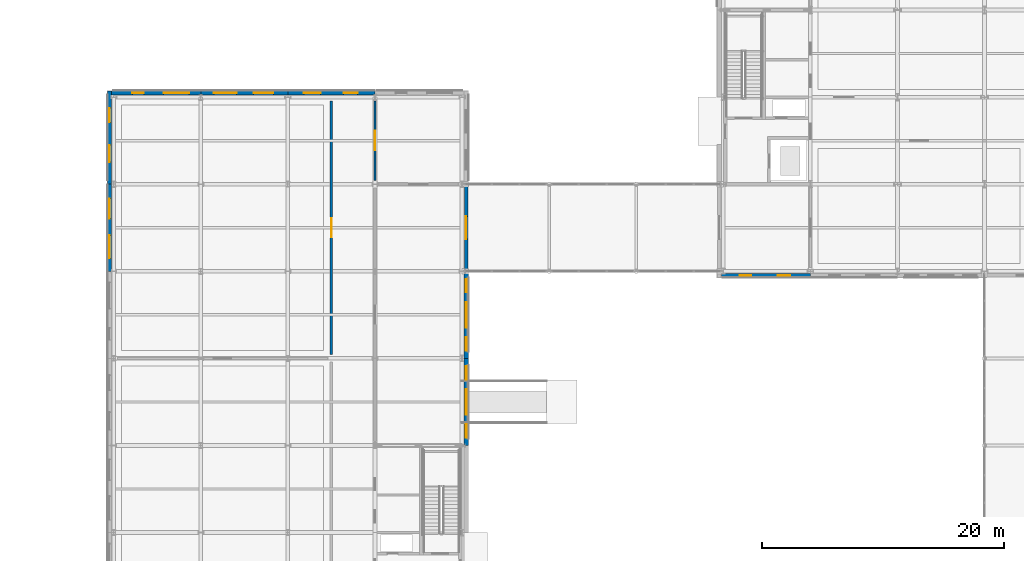
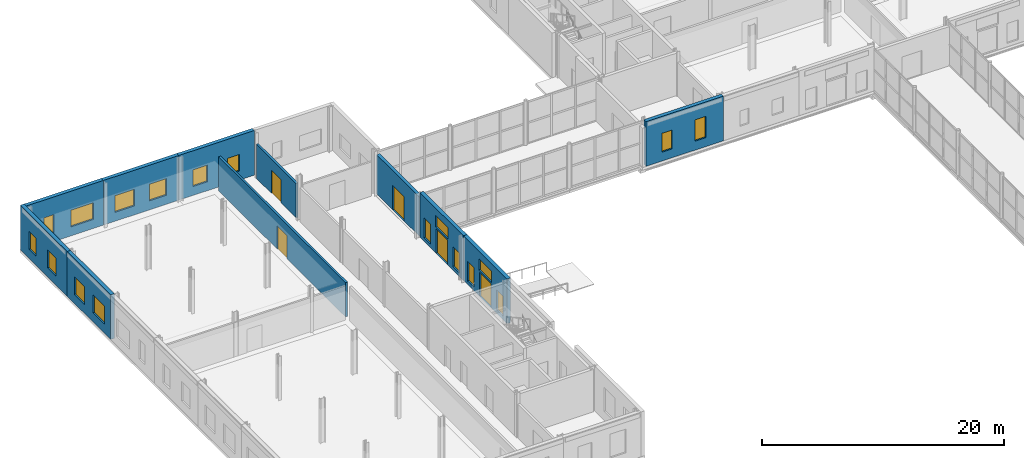
# One storey, part 61 of 92: 18 windows, 11 walls, 5 doors, 23 openings.
"""IFC4 building model written with IfcOpenShell, lengths in metres."""

from ifc_helpers import new_model, si_unit, direction, frame, frame_2d, origin, place, context, subcontext, project, spatial, rectangle, extrude, material, layer, layer_set, type_object, element, fill, save


model = new_model("IFC4")

# Units and contexts
model_context = context("Model", 3, precision=1e-05, world=origin(), true_north=direction((0.0, 1.0)))
body_context = subcontext(model_context, "Body", "Model", "MODEL_VIEW")
ifc_project = project(units=[si_unit("LENGTHUNIT", "METRE"), si_unit("AREAUNIT", "SQUARE_METRE"), si_unit("VOLUMEUNIT", "CUBIC_METRE"), si_unit("PLANEANGLEUNIT", "RADIAN"), si_unit("MASSUNIT", "GRAM", prefix="KILO")], contexts=[model_context])

# Site, building, storey
site_placement = place(None, origin())
site = spatial("IfcSite", under=ifc_project, at=site_placement, CompositionType="ELEMENT")
building_placement = place(site_placement, origin())
building = spatial("IfcBuilding", under=site, at=building_placement, Name="Zlatovets Crest Museum", CompositionType="ELEMENT")
storey_placement = place(building_placement, origin())
storey = spatial("IfcBuildingStorey", under=building, at=storey_placement, Name="L00", CompositionType="ELEMENT", Elevation=0.0)

# Wall, openings, windows
ifc_material_1 = material(Name="Vratsa limestone ashlar masonry and mineral wool", Category="masonry")
ifc_layer_1 = layer(ifc_material_1, 0.35009765625)
ifc_layer_set_1 = layer_set([ifc_layer_1], Name="Vratsa limestone ashlar masonry and mineral wool")
wall_type_1 = type_object("IfcWallType", Name="ExtWall_EW-01", PredefinedType="STANDARD", material=ifc_layer_set_1)
wall_1_placement = place(storey_placement, frame((57.43505859375, 86.06005859375, 0.0), z_axis=(0.0, 0.0, 1.0), x_axis=(1.0, 0.0, 0.0)))
wall_1 = element("IfcWall", 1, at=wall_1_placement, inside=storey, type_object=wall_type_1, Name="V1 L00 Vratsa Limestone Plinth Wall", PredefinedType="STANDARD", context=body_context, shape_type="SweptSolid", body=[
    extrude(rectangle(XDim=7.364990234375, YDim=0.35009765625, at=frame_2d((3.6826171875, 0.0))), origin(), (0.0, 0.0, 1.0), 4.5),
])
opening_1_placement = place(wall_1_placement, frame((1.541015625, 0.0, 0.89990234375)))
opening_1 = element("IfcOpeningElement", 2, at=opening_1_placement, cuts=wall_1, Name="Opening WN-11", PredefinedType="OPENING", context=body_context, shape_type="SweptSolid", body=[
    extrude(rectangle(XDim=0.949951171875, YDim=1.89990234375, at=frame_2d((0.47509765625, 0.949951171875))), frame((0.0, 0.18505859375, 0.0), z_axis=(0.0, -1.0, 0.0), x_axis=(1.0, 0.0, 0.0)), (0.0, 0.0, 1.0), 0.3701171875),
])
opening_2_placement = place(wall_1_placement, frame((4.658935546875, 0.0, 0.89990234375)))
opening_2 = element("IfcOpeningElement", 3, at=opening_2_placement, cuts=wall_1, Name="Opening WN-12", PredefinedType="OPENING", context=body_context, shape_type="SweptSolid", body=[
    extrude(rectangle(XDim=1.050048828125, YDim=2.14990234375, at=frame_2d((0.52490234375, 1.074951171875))), frame((0.0, 0.18505859375, 0.0), z_axis=(0.0, -1.0, 0.0), x_axis=(1.0, 0.0, 0.0)), (0.0, 0.0, 1.0), 0.3701171875),
])
ifc_material_2 = material(Name="Bronze-anodised aluminium frame with low-E triple glass", Category="aluminium")
window_type_1 = type_object("IfcWindowType", Name="Win_WN-11", PartitioningType="SINGLE_PANEL", PredefinedType="WINDOW", material=ifc_material_2)
window_1_placement = place(opening_1_placement, origin())
window_1 = element("IfcWindow", 4, at=window_1_placement, inside=storey, type_object=window_type_1, Name="V1 L00 Secession Plinth Window WN-11", OverallHeight=1.89990234375, OverallWidth=0.949951171875, PartitioningType="SINGLE_PANEL", PredefinedType="WINDOW", context=body_context, shape_type="SweptSolid", body=[
    extrude(rectangle(XDim=0.949951171875, YDim=1.89990234375, at=frame_2d((0.47509765625, 0.949951171875))), frame((0.0, 0.030029296875, 0.0), z_axis=(0.0, -1.0, 0.0), x_axis=(1.0, 0.0, 0.0)), (0.0, 0.0, 1.0), 0.06005859375),
])
fill(opening_1, window_1)
window_type_2 = type_object("IfcWindowType", Name="Win_WN-12", PartitioningType="SINGLE_PANEL", PredefinedType="WINDOW", material=ifc_material_2)
window_2_placement = place(opening_2_placement, origin())
window_2 = element("IfcWindow", 5, at=window_2_placement, inside=storey, type_object=window_type_2, Name="V1 L00 Secession Plinth Window WN-12", OverallHeight=2.14990234375, OverallWidth=1.050048828125, PartitioningType="SINGLE_PANEL", PredefinedType="WINDOW", context=body_context, shape_type="SweptSolid", body=[
    extrude(rectangle(XDim=1.050048828125, YDim=2.14990234375, at=frame_2d((0.52490234375, 1.074951171875))), frame((0.0, 0.030029296875, 0.0), z_axis=(0.0, -1.0, 0.0), x_axis=(1.0, 0.0, 0.0)), (0.0, 0.0, 1.0), 0.06005859375),
])
fill(opening_2, window_2)

# Wall, openings, door, windows
wall_2_placement = place(storey_placement, frame((36.340087890625, 72.0, 0.0), z_axis=(0.0, 0.0, 1.0), x_axis=(0.0, 1.0, 0.0)))
wall_2 = element("IfcWall", 6, at=wall_2_placement, inside=storey, type_object=wall_type_1, Name="V4 L00 Sculpted Art Nouveau Portal Wall", PredefinedType="STANDARD", context=body_context, shape_type="SweptSolid", body=[
    extrude(rectangle(XDim=7.199951171875, YDim=0.35009765625, at=frame_2d((3.60009765625, 0.0))), origin(), (0.0, 0.0, 1.0), 4.5),
])
opening_3_placement = place(wall_2_placement, frame((2.64990234375, 0.0, 0.0)))
opening_3 = element("IfcOpeningElement", 7, at=opening_3_placement, cuts=wall_2, Name="Opening ED-02", PredefinedType="OPENING", context=body_context, shape_type="SweptSolid", body=[
    extrude(rectangle(XDim=1.89990234375, YDim=2.449951171875, at=frame_2d((0.949951171875, 1.22509765625))), frame((0.0, 0.18505859375, 0.0), z_axis=(0.0, -1.0, 0.0), x_axis=(1.0, 0.0, 0.0)), (0.0, 0.0, 1.0), 0.3701171875),
])
opening_4_placement = place(wall_2_placement, frame((2.550048828125, 0.0, 2.60009765625)))
opening_4 = element("IfcOpeningElement", 8, at=opening_4_placement, cuts=wall_2, Name="Opening WN-13", PredefinedType="OPENING", context=body_context, shape_type="SweptSolid", body=[
    extrude(rectangle(XDim=2.10009765625, YDim=1.14990234375, at=frame_2d((1.050048828125, 0.574951171875))), frame((0.0, 0.18505859375, 0.0), z_axis=(0.0, -1.0, 0.0), x_axis=(1.0, 0.0, 0.0)), (0.0, 0.0, 1.0), 0.3701171875),
])
opening_5_placement = place(wall_2_placement, frame((0.64990234375, 0.0, 0.35009765625)))
opening_5 = element("IfcOpeningElement", 9, at=opening_5_placement, cuts=wall_2, Name="Opening WN-06", PredefinedType="OPENING", context=body_context, shape_type="SweptSolid", body=[
    extrude(rectangle(XDim=1.10009765625, YDim=2.0, at=frame_2d((0.550048828125, 1.0))), frame((0.0, 0.18505859375, 0.0), z_axis=(0.0, -1.0, 0.0), x_axis=(1.0, 0.0, 0.0)), (0.0, 0.0, 1.0), 0.3701171875),
])
opening_6_placement = place(wall_2_placement, frame((5.449951171875, 0.0, 0.35009765625)))
opening_6 = element("IfcOpeningElement", 10, at=opening_6_placement, cuts=wall_2, Name="Opening WN-06", PredefinedType="OPENING", context=body_context, shape_type="SweptSolid", body=[
    extrude(rectangle(XDim=1.10009765625, YDim=2.0, at=frame_2d((0.550048828125, 1.0))), frame((0.0, 0.18505859375, 0.0), z_axis=(0.0, -1.0, 0.0), x_axis=(1.0, 0.0, 0.0)), (0.0, 0.0, 1.0), 0.3701171875),
])
ifc_material_3 = material(Name="Bronze-clad insulated steel door", Category="steel")
door_type_1 = type_object("IfcDoorType", Name="ExtDoor_ED-02", OperationType="NOTDEFINED", PredefinedType="DOOR", material=ifc_material_3)
door_1_placement = place(opening_3_placement, origin())
door_1 = element("IfcDoor", 11, at=door_1_placement, inside=storey, type_object=door_type_1, Name="ED-V4-L00-P034 WEST COURT GALLERY PORTAL Exit Door", OperationType="DOUBLE_DOOR_SINGLE_SWING", OverallHeight=2.449951171875, OverallWidth=1.89990234375, PredefinedType="DOOR", context=body_context, shape_type="SweptSolid", body=[
    extrude(rectangle(XDim=1.89990234375, YDim=2.449951171875, at=frame_2d((0.949951171875, 1.22509765625))), frame((0.0, 0.02490234375, 0.0), z_axis=(0.0, -1.0, 0.0), x_axis=(1.0, 0.0, 0.0)), (0.0, 0.0, 1.0), 0.050048828125),
])
fill(opening_3, door_1)
window_type_3 = type_object("IfcWindowType", Name="Win_WN-06", PartitioningType="SINGLE_PANEL", PredefinedType="WINDOW", material=ifc_material_2)
window_3_placement = place(opening_5_placement, origin())
window_3 = element("IfcWindow", 12, at=window_3_placement, inside=storey, type_object=window_type_3, Name="WEST COURT GALLERY PORTAL Glazed Portal Sidelight 1", OverallHeight=2.0, OverallWidth=1.10009765625, PartitioningType="SINGLE_PANEL", PredefinedType="WINDOW", context=body_context, shape_type="SweptSolid", body=[
    extrude(rectangle(XDim=1.10009765625, YDim=2.0, at=frame_2d((0.550048828125, 1.0))), frame((0.0, 0.030029296875, 0.0), z_axis=(0.0, -1.0, 0.0), x_axis=(1.0, 0.0, 0.0)), (0.0, 0.0, 1.0), 0.06005859375),
])
fill(opening_5, window_3)
window_4_placement = place(opening_6_placement, origin())
window_4 = element("IfcWindow", 13, at=window_4_placement, inside=storey, type_object=window_type_3, Name="WEST COURT GALLERY PORTAL Glazed Portal Sidelight 2", OverallHeight=2.0, OverallWidth=1.10009765625, PartitioningType="SINGLE_PANEL", PredefinedType="WINDOW", context=body_context, shape_type="SweptSolid", body=[
    extrude(rectangle(XDim=1.10009765625, YDim=2.0, at=frame_2d((0.550048828125, 1.0))), frame((0.0, 0.030029296875, 0.0), z_axis=(0.0, -1.0, 0.0), x_axis=(1.0, 0.0, 0.0)), (0.0, 0.0, 1.0), 0.06005859375),
])
fill(opening_6, window_4)
window_type_4 = type_object("IfcWindowType", Name="Win_WN-13", PartitioningType="SINGLE_PANEL", PredefinedType="WINDOW", material=ifc_material_2)
window_5_placement = place(opening_4_placement, origin())
window_5 = element("IfcWindow", 14, at=window_5_placement, inside=storey, type_object=window_type_4, Name="WEST COURT GALLERY PORTAL Arched Portal Fanlight", OverallHeight=1.14990234375, OverallWidth=2.10009765625, PartitioningType="SINGLE_PANEL", PredefinedType="WINDOW", context=body_context, shape_type="SweptSolid", body=[
    extrude(rectangle(XDim=2.10009765625, YDim=1.14990234375, at=frame_2d((1.050048828125, 0.574951171875))), frame((0.0, 0.030029296875, 0.0), z_axis=(0.0, -1.0, 0.0), x_axis=(1.0, 0.0, 0.0)), (0.0, 0.0, 1.0), 0.06005859375),
])
fill(opening_4, window_5)

wall_3_placement = place(storey_placement, frame((36.340087890625, 79.199951171875, 0.0), z_axis=(0.0, 0.0, 1.0), x_axis=(0.0, 1.0, 0.0)))
wall_3 = element("IfcWall", 15, at=wall_3_placement, inside=storey, type_object=wall_type_1, Name="V4 L00 Sculpted Art Nouveau Portal Wall", PredefinedType="STANDARD", context=body_context, shape_type="SweptSolid", body=[
    extrude(rectangle(XDim=7.199951171875, YDim=0.35009765625, at=frame_2d((3.60009765625, 0.0))), origin(), (0.0, 0.0, 1.0), 4.5),
])
opening_7_placement = place(wall_3_placement, frame((2.64990234375, 0.0, 0.0)))
opening_7 = element("IfcOpeningElement", 16, at=opening_7_placement, cuts=wall_3, Name="Opening ED-02", PredefinedType="OPENING", context=body_context, shape_type="SweptSolid", body=[
    extrude(rectangle(XDim=1.89990234375, YDim=2.449951171875, at=frame_2d((0.949951171875, 1.22509765625))), frame((0.0, 0.18505859375, 0.0), z_axis=(0.0, -1.0, 0.0), x_axis=(1.0, 0.0, 0.0)), (0.0, 0.0, 1.0), 0.3701171875),
])
opening_8_placement = place(wall_3_placement, frame((2.550048828125, 0.0, 2.60009765625)))
opening_8 = element("IfcOpeningElement", 17, at=opening_8_placement, cuts=wall_3, Name="Opening WN-13", PredefinedType="OPENING", context=body_context, shape_type="SweptSolid", body=[
    extrude(rectangle(XDim=2.10009765625, YDim=1.14990234375, at=frame_2d((1.050048828125, 0.574951171875))), frame((0.0, 0.18505859375, 0.0), z_axis=(0.0, -1.0, 0.0), x_axis=(1.0, 0.0, 0.0)), (0.0, 0.0, 1.0), 0.3701171875),
])
opening_9_placement = place(wall_3_placement, frame((0.64990234375, 0.0, 0.35009765625)))
opening_9 = element("IfcOpeningElement", 18, at=opening_9_placement, cuts=wall_3, Name="Opening WN-06", PredefinedType="OPENING", context=body_context, shape_type="SweptSolid", body=[
    extrude(rectangle(XDim=1.10009765625, YDim=2.0, at=frame_2d((0.550048828125, 1.0))), frame((0.0, 0.18505859375, 0.0), z_axis=(0.0, -1.0, 0.0), x_axis=(1.0, 0.0, 0.0)), (0.0, 0.0, 1.0), 0.3701171875),
])
opening_10_placement = place(wall_3_placement, frame((5.449951171875, 0.0, 0.35009765625)))
opening_10 = element("IfcOpeningElement", 19, at=opening_10_placement, cuts=wall_3, Name="Opening WN-06", PredefinedType="OPENING", context=body_context, shape_type="SweptSolid", body=[
    extrude(rectangle(XDim=1.10009765625, YDim=2.0, at=frame_2d((0.550048828125, 1.0))), frame((0.0, 0.18505859375, 0.0), z_axis=(0.0, -1.0, 0.0), x_axis=(1.0, 0.0, 0.0)), (0.0, 0.0, 1.0), 0.3701171875),
])
door_2_placement = place(opening_7_placement, origin())
door_2 = element("IfcDoor", 20, at=door_2_placement, inside=storey, type_object=door_type_1, Name="ED-V4-L00-P035 WEST COURT GALLERY PORTAL Exit Door", OperationType="DOUBLE_DOOR_SINGLE_SWING", OverallHeight=2.449951171875, OverallWidth=1.89990234375, PredefinedType="DOOR", context=body_context, shape_type="SweptSolid", body=[
    extrude(rectangle(XDim=1.89990234375, YDim=2.449951171875, at=frame_2d((0.949951171875, 1.22509765625))), frame((0.0, 0.02490234375, 0.0), z_axis=(0.0, -1.0, 0.0), x_axis=(1.0, 0.0, 0.0)), (0.0, 0.0, 1.0), 0.050048828125),
])
fill(opening_7, door_2)
window_6_placement = place(opening_9_placement, origin())
window_6 = element("IfcWindow", 21, at=window_6_placement, inside=storey, type_object=window_type_3, Name="WEST COURT GALLERY PORTAL Glazed Portal Sidelight 1", OverallHeight=2.0, OverallWidth=1.10009765625, PartitioningType="SINGLE_PANEL", PredefinedType="WINDOW", context=body_context, shape_type="SweptSolid", body=[
    extrude(rectangle(XDim=1.10009765625, YDim=2.0, at=frame_2d((0.550048828125, 1.0))), frame((0.0, 0.030029296875, 0.0), z_axis=(0.0, -1.0, 0.0), x_axis=(1.0, 0.0, 0.0)), (0.0, 0.0, 1.0), 0.06005859375),
])
fill(opening_9, window_6)
window_7_placement = place(opening_10_placement, origin())
window_7 = element("IfcWindow", 22, at=window_7_placement, inside=storey, type_object=window_type_3, Name="WEST COURT GALLERY PORTAL Glazed Portal Sidelight 2", OverallHeight=2.0, OverallWidth=1.10009765625, PartitioningType="SINGLE_PANEL", PredefinedType="WINDOW", context=body_context, shape_type="SweptSolid", body=[
    extrude(rectangle(XDim=1.10009765625, YDim=2.0, at=frame_2d((0.550048828125, 1.0))), frame((0.0, 0.030029296875, 0.0), z_axis=(0.0, -1.0, 0.0), x_axis=(1.0, 0.0, 0.0)), (0.0, 0.0, 1.0), 0.06005859375),
])
fill(opening_10, window_7)
window_8_placement = place(opening_8_placement, origin())
window_8 = element("IfcWindow", 23, at=window_8_placement, inside=storey, type_object=window_type_4, Name="WEST COURT GALLERY PORTAL Arched Portal Fanlight", OverallHeight=1.14990234375, OverallWidth=2.10009765625, PartitioningType="SINGLE_PANEL", PredefinedType="WINDOW", context=body_context, shape_type="SweptSolid", body=[
    extrude(rectangle(XDim=2.10009765625, YDim=1.14990234375, at=frame_2d((1.050048828125, 0.574951171875))), frame((0.0, 0.030029296875, 0.0), z_axis=(0.0, -1.0, 0.0), x_axis=(1.0, 0.0, 0.0)), (0.0, 0.0, 1.0), 0.06005859375),
])
fill(opening_8, window_8)

# Wall, openings, windows
wall_4_placement = place(storey_placement, frame((28.800048828125, 101.139892578125, 0.0), z_axis=(0.0, 0.0, 1.0), x_axis=(-1.0, 0.0, 0.0)))
wall_4 = element("IfcWall", 24, at=wall_4_placement, inside=storey, type_object=wall_type_1, Name="V4 L00 Vratsa Limestone Plinth Wall", PredefinedType="STANDARD", context=body_context, shape_type="SweptSolid", body=[
    extrude(rectangle(XDim=7.199951171875, YDim=0.35009765625, at=frame_2d((3.60009765625, 0.0))), origin(), (0.0, 0.0, 1.0), 4.5),
])
opening_11_placement = place(wall_4_placement, frame((1.44091796875, 0.0, 0.89990234375)))
opening_11 = element("IfcOpeningElement", 25, at=opening_11_placement, cuts=wall_4, Name="Opening WN-23", PredefinedType="OPENING", context=body_context, shape_type="SweptSolid", body=[
    extrude(rectangle(XDim=1.14990234375, YDim=1.679931640625, at=frame_2d((0.574951171875, 0.83984375))), frame((0.0, 0.18505859375, 0.0), z_axis=(0.0, -1.0, 0.0), x_axis=(1.0, 0.0, 0.0)), (0.0, 0.0, 1.0), 0.3701171875),
])
opening_12_placement = place(wall_4_placement, frame((4.489013671875, 0.0, 0.89990234375)))
opening_12 = element("IfcOpeningElement", 26, at=opening_12_placement, cuts=wall_4, Name="Opening WN-24", PredefinedType="OPENING", context=body_context, shape_type="SweptSolid", body=[
    extrude(rectangle(XDim=1.389892578125, YDim=1.679931640625, at=frame_2d((0.69482421875, 0.83984375))), frame((0.0, 0.18505859375, 0.0), z_axis=(0.0, -1.0, 0.0), x_axis=(1.0, 0.0, 0.0)), (0.0, 0.0, 1.0), 0.3701171875),
])
window_type_5 = type_object("IfcWindowType", Name="Win_WN-23", PartitioningType="SINGLE_PANEL", PredefinedType="WINDOW", material=ifc_material_2)
window_9_placement = place(opening_11_placement, origin())
window_9 = element("IfcWindow", 27, at=window_9_placement, inside=storey, type_object=window_type_5, Name="V4 L00 Secession Plinth Window WN-23", OverallHeight=1.679931640625, OverallWidth=1.14990234375, PartitioningType="SINGLE_PANEL", PredefinedType="WINDOW", context=body_context, shape_type="SweptSolid", body=[
    extrude(rectangle(XDim=1.14990234375, YDim=1.679931640625, at=frame_2d((0.574951171875, 0.83984375))), frame((0.0, 0.030029296875, 0.0), z_axis=(0.0, -1.0, 0.0), x_axis=(1.0, 0.0, 0.0)), (0.0, 0.0, 1.0), 0.06005859375),
])
fill(opening_11, window_9)
window_type_6 = type_object("IfcWindowType", Name="Win_WN-24", PartitioningType="SINGLE_PANEL", PredefinedType="WINDOW", material=ifc_material_2)
window_10_placement = place(opening_12_placement, origin())
window_10 = element("IfcWindow", 28, at=window_10_placement, inside=storey, type_object=window_type_6, Name="V4 L00 Secession Plinth Window WN-24", OverallHeight=1.679931640625, OverallWidth=1.389892578125, PartitioningType="SINGLE_PANEL", PredefinedType="WINDOW", context=body_context, shape_type="SweptSolid", body=[
    extrude(rectangle(XDim=1.389892578125, YDim=1.679931640625, at=frame_2d((0.69482421875, 0.83984375))), frame((0.0, 0.030029296875, 0.0), z_axis=(0.0, -1.0, 0.0), x_axis=(1.0, 0.0, 0.0)), (0.0, 0.0, 1.0), 0.06005859375),
])
fill(opening_12, window_10)

wall_5_placement = place(storey_placement, frame((21.60009765625, 101.139892578125, 0.0), z_axis=(0.0, 0.0, 1.0), x_axis=(-1.0, 0.0, 0.0)))
wall_5 = element("IfcWall", 29, at=wall_5_placement, inside=storey, type_object=wall_type_1, Name="V4 L00 Vratsa Limestone Plinth Wall", PredefinedType="STANDARD", context=body_context, shape_type="SweptSolid", body=[
    extrude(rectangle(XDim=7.2001953125, YDim=0.35009765625, at=frame_2d((3.60009765625, 0.0))), origin(), (0.0, 0.0, 1.0), 4.5),
])
opening_13_placement = place(wall_5_placement, frame((1.200927734375, 0.0, 0.89990234375)))
opening_13 = element("IfcOpeningElement", 30, at=opening_13_placement, cuts=wall_5, Name="Opening WN-25", PredefinedType="OPENING", context=body_context, shape_type="SweptSolid", body=[
    extrude(rectangle(XDim=1.6298828125, YDim=1.679931640625, at=frame_2d((0.81494140625, 0.83984375))), frame((0.0, 0.18505859375, 0.0), z_axis=(0.0, -1.0, 0.0), x_axis=(1.0, 0.0, 0.0)), (0.0, 0.0, 1.0), 0.3701171875),
])
opening_14_placement = place(wall_5_placement, frame((4.2490234375, 0.0, 0.89990234375)))
opening_14 = element("IfcOpeningElement", 31, at=opening_14_placement, cuts=wall_5, Name="Opening WN-26", PredefinedType="OPENING", context=body_context, shape_type="SweptSolid", body=[
    extrude(rectangle(XDim=1.8701171875, YDim=1.679931640625, at=frame_2d((0.93505859375, 0.83984375))), frame((0.0, 0.18505859375, 0.0), z_axis=(0.0, -1.0, 0.0), x_axis=(1.0, 0.0, 0.0)), (0.0, 0.0, 1.0), 0.3701171875),
])
window_type_7 = type_object("IfcWindowType", Name="Win_WN-25", PartitioningType="SINGLE_PANEL", PredefinedType="WINDOW", material=ifc_material_2)
window_11_placement = place(opening_13_placement, origin())
window_11 = element("IfcWindow", 32, at=window_11_placement, inside=storey, type_object=window_type_7, Name="V4 L00 Secession Plinth Window WN-25", OverallHeight=1.679931640625, OverallWidth=1.6298828125, PartitioningType="SINGLE_PANEL", PredefinedType="WINDOW", context=body_context, shape_type="SweptSolid", body=[
    extrude(rectangle(XDim=1.6298828125, YDim=1.679931640625, at=frame_2d((0.81494140625, 0.83984375))), frame((0.0, 0.030029296875, 0.0), z_axis=(0.0, -1.0, 0.0), x_axis=(1.0, 0.0, 0.0)), (0.0, 0.0, 1.0), 0.06005859375),
])
fill(opening_13, window_11)
window_type_8 = type_object("IfcWindowType", Name="Win_WN-26", PartitioningType="SINGLE_PANEL", PredefinedType="WINDOW", material=ifc_material_2)
window_12_placement = place(opening_14_placement, origin())
window_12 = element("IfcWindow", 33, at=window_12_placement, inside=storey, type_object=window_type_8, Name="V4 L00 Secession Plinth Window WN-26", OverallHeight=1.679931640625, OverallWidth=1.8701171875, PartitioningType="SINGLE_PANEL", PredefinedType="WINDOW", context=body_context, shape_type="SweptSolid", body=[
    extrude(rectangle(XDim=1.8701171875, YDim=1.679931640625, at=frame_2d((0.93505859375, 0.83984375))), frame((0.0, 0.030029296875, 0.0), z_axis=(0.0, -1.0, 0.0), x_axis=(1.0, 0.0, 0.0)), (0.0, 0.0, 1.0), 0.06005859375),
])
fill(opening_14, window_12)

wall_6_placement = place(storey_placement, frame((14.39990234375, 101.139892578125, 0.0), z_axis=(0.0, 0.0, 1.0), x_axis=(-1.0, 0.0, 0.0)))
wall_6 = element("IfcWall", 34, at=wall_6_placement, inside=storey, type_object=wall_type_1, Name="V4 L00 Vratsa Limestone Plinth Wall", PredefinedType="STANDARD", context=body_context, shape_type="SweptSolid", body=[
    extrude(rectangle(XDim=7.364990234375, YDim=0.35009765625, at=frame_2d((3.6826171875, 0.0))), origin(), (0.0, 0.0, 1.0), 4.5),
])
opening_15_placement = place(wall_6_placement, frame((0.9609375, 0.0, 0.89990234375)))
opening_15 = element("IfcOpeningElement", 35, at=opening_15_placement, cuts=wall_6, Name="Opening WN-27", PredefinedType="OPENING", context=body_context, shape_type="SweptSolid", body=[
    extrude(rectangle(XDim=2.110107421875, YDim=1.679931640625, at=frame_2d((1.05517578125, 0.83984375))), frame((0.0, 0.18505859375, 0.0), z_axis=(0.0, -1.0, 0.0), x_axis=(1.0, 0.0, 0.0)), (0.0, 0.0, 1.0), 0.3701171875),
])
opening_16_placement = place(wall_6_placement, frame((4.714111328125, 0.0, 0.89990234375)))
opening_16 = element("IfcOpeningElement", 36, at=opening_16_placement, cuts=wall_6, Name="Opening WN-28", PredefinedType="OPENING", context=body_context, shape_type="SweptSolid", body=[
    extrude(rectangle(XDim=0.93994140625, YDim=1.820068359375, at=frame_2d((0.469970703125, 0.91015625))), frame((0.0, 0.18505859375, 0.0), z_axis=(0.0, -1.0, 0.0), x_axis=(1.0, 0.0, 0.0)), (0.0, 0.0, 1.0), 0.3701171875),
])
window_type_9 = type_object("IfcWindowType", Name="Win_WN-27", PartitioningType="SINGLE_PANEL", PredefinedType="WINDOW", material=ifc_material_2)
window_13_placement = place(opening_15_placement, origin())
window_13 = element("IfcWindow", 37, at=window_13_placement, inside=storey, type_object=window_type_9, Name="V4 L00 Secession Plinth Window WN-27", OverallHeight=1.679931640625, OverallWidth=2.110107421875, PartitioningType="SINGLE_PANEL", PredefinedType="WINDOW", context=body_context, shape_type="SweptSolid", body=[
    extrude(rectangle(XDim=2.110107421875, YDim=1.679931640625, at=frame_2d((1.05517578125, 0.83984375))), frame((0.0, 0.030029296875, 0.0), z_axis=(0.0, -1.0, 0.0), x_axis=(1.0, 0.0, 0.0)), (0.0, 0.0, 1.0), 0.06005859375),
])
fill(opening_15, window_13)
window_type_10 = type_object("IfcWindowType", Name="Win_WN-28", PartitioningType="SINGLE_PANEL", PredefinedType="WINDOW", material=ifc_material_2)
window_14_placement = place(opening_16_placement, origin())
window_14 = element("IfcWindow", 38, at=window_14_placement, inside=storey, type_object=window_type_10, Name="V4 L00 Secession Plinth Window WN-28", OverallHeight=1.820068359375, OverallWidth=0.93994140625, PartitioningType="SINGLE_PANEL", PredefinedType="WINDOW", context=body_context, shape_type="SweptSolid", body=[
    extrude(rectangle(XDim=0.93994140625, YDim=1.820068359375, at=frame_2d((0.469970703125, 0.91015625))), frame((0.0, 0.030029296875, 0.0), z_axis=(0.0, -1.0, 0.0), x_axis=(1.0, 0.0, 0.0)), (0.0, 0.0, 1.0), 0.06005859375),
])
fill(opening_16, window_14)

wall_7_placement = place(storey_placement, frame((6.860107421875, 101.31494140625, 0.0), z_axis=(0.0, 0.0, 1.0), x_axis=(0.0, -1.0, 0.0)))
wall_7 = element("IfcWall", 39, at=wall_7_placement, inside=storey, type_object=wall_type_1, Name="V4 L00 Vratsa Limestone Plinth Wall", PredefinedType="STANDARD", context=body_context, shape_type="SweptSolid", body=[
    extrude(rectangle(XDim=7.71484375, YDim=0.35009765625, at=frame_2d((3.857421875, 0.0))), origin(), (0.0, 0.0, 1.0), 4.5),
])
opening_17_placement = place(wall_7_placement, frame((1.426025390625, 0.0, 0.89990234375)))
opening_17 = element("IfcOpeningElement", 40, at=opening_17_placement, cuts=wall_7, Name="Opening WN-29", PredefinedType="OPENING", context=body_context, shape_type="SweptSolid", body=[
    extrude(rectangle(XDim=1.179931640625, YDim=1.820068359375, at=frame_2d((0.58984375, 0.91015625))), frame((0.0, 0.18505859375, 0.0), z_axis=(0.0, -1.0, 0.0), x_axis=(1.0, 0.0, 0.0)), (0.0, 0.0, 1.0), 0.3701171875),
])
opening_18_placement = place(wall_7_placement, frame((4.47412109375, 0.0, 0.89990234375)))
opening_18 = element("IfcOpeningElement", 41, at=opening_18_placement, cuts=wall_7, Name="Opening WN-30", PredefinedType="OPENING", context=body_context, shape_type="SweptSolid", body=[
    extrude(rectangle(XDim=1.419921875, YDim=1.820068359375, at=frame_2d((0.7099609375, 0.91015625))), frame((0.0, 0.18505859375, 0.0), z_axis=(0.0, -1.0, 0.0), x_axis=(1.0, 0.0, 0.0)), (0.0, 0.0, 1.0), 0.3701171875),
])
window_type_11 = type_object("IfcWindowType", Name="Win_WN-29", PartitioningType="SINGLE_PANEL", PredefinedType="WINDOW", material=ifc_material_2)
window_15_placement = place(opening_17_placement, origin())
window_15 = element("IfcWindow", 42, at=window_15_placement, inside=storey, type_object=window_type_11, Name="V4 L00 Secession Plinth Window WN-29", OverallHeight=1.820068359375, OverallWidth=1.179931640625, PartitioningType="SINGLE_PANEL", PredefinedType="WINDOW", context=body_context, shape_type="SweptSolid", body=[
    extrude(rectangle(XDim=1.179931640625, YDim=1.820068359375, at=frame_2d((0.58984375, 0.91015625))), frame((0.0, 0.030029296875, 0.0), z_axis=(0.0, -1.0, 0.0), x_axis=(1.0, 0.0, 0.0)), (0.0, 0.0, 1.0), 0.06005859375),
])
fill(opening_17, window_15)
window_type_12 = type_object("IfcWindowType", Name="Win_WN-30", PartitioningType="SINGLE_PANEL", PredefinedType="WINDOW", material=ifc_material_2)
window_16_placement = place(opening_18_placement, origin())
window_16 = element("IfcWindow", 43, at=window_16_placement, inside=storey, type_object=window_type_12, Name="V4 L00 Secession Plinth Window WN-30", OverallHeight=1.820068359375, OverallWidth=1.419921875, PartitioningType="SINGLE_PANEL", PredefinedType="WINDOW", context=body_context, shape_type="SweptSolid", body=[
    extrude(rectangle(XDim=1.419921875, YDim=1.820068359375, at=frame_2d((0.7099609375, 0.91015625))), frame((0.0, 0.030029296875, 0.0), z_axis=(0.0, -1.0, 0.0), x_axis=(1.0, 0.0, 0.0)), (0.0, 0.0, 1.0), 0.06005859375),
])
fill(opening_18, window_16)

wall_8_placement = place(storey_placement, frame((6.860107421875, 93.60009765625, 0.0), z_axis=(0.0, 0.0, 1.0), x_axis=(0.0, -1.0, 0.0)))
wall_8 = element("IfcWall", 44, at=wall_8_placement, inside=storey, type_object=wall_type_1, Name="V4 L00 Vratsa Limestone Plinth Wall", PredefinedType="STANDARD", context=body_context, shape_type="SweptSolid", body=[
    extrude(rectangle(XDim=7.2001953125, YDim=0.35009765625, at=frame_2d((3.60009765625, 0.0))), origin(), (0.0, 0.0, 1.0), 4.5),
])
opening_19_placement = place(wall_8_placement, frame((1.18603515625, 0.0, 0.89990234375)))
opening_19 = element("IfcOpeningElement", 45, at=opening_19_placement, cuts=wall_8, Name="Opening WN-31", PredefinedType="OPENING", context=body_context, shape_type="SweptSolid", body=[
    extrude(rectangle(XDim=1.659912109375, YDim=1.820068359375, at=frame_2d((0.830078125, 0.91015625))), frame((0.0, 0.18505859375, 0.0), z_axis=(0.0, -1.0, 0.0), x_axis=(1.0, 0.0, 0.0)), (0.0, 0.0, 1.0), 0.3701171875),
])
opening_20_placement = place(wall_8_placement, frame((4.23388671875, 0.0, 0.89990234375)))
opening_20 = element("IfcOpeningElement", 46, at=opening_20_placement, cuts=wall_8, Name="Opening WN-32", PredefinedType="OPENING", context=body_context, shape_type="SweptSolid", body=[
    extrude(rectangle(XDim=1.89990234375, YDim=1.820068359375, at=frame_2d((0.949951171875, 0.91015625))), frame((0.0, 0.18505859375, 0.0), z_axis=(0.0, -1.0, 0.0), x_axis=(1.0, 0.0, 0.0)), (0.0, 0.0, 1.0), 0.3701171875),
])
window_type_13 = type_object("IfcWindowType", Name="Win_WN-31", PartitioningType="SINGLE_PANEL", PredefinedType="WINDOW", material=ifc_material_2)
window_17_placement = place(opening_19_placement, origin())
window_17 = element("IfcWindow", 47, at=window_17_placement, inside=storey, type_object=window_type_13, Name="V4 L00 Secession Plinth Window WN-31", OverallHeight=1.820068359375, OverallWidth=1.659912109375, PartitioningType="SINGLE_PANEL", PredefinedType="WINDOW", context=body_context, shape_type="SweptSolid", body=[
    extrude(rectangle(XDim=1.659912109375, YDim=1.820068359375, at=frame_2d((0.830078125, 0.91015625))), frame((0.0, 0.030029296875, 0.0), z_axis=(0.0, -1.0, 0.0), x_axis=(1.0, 0.0, 0.0)), (0.0, 0.0, 1.0), 0.06005859375),
])
fill(opening_19, window_17)
window_type_14 = type_object("IfcWindowType", Name="Win_WN-32", PartitioningType="SINGLE_PANEL", PredefinedType="WINDOW", material=ifc_material_2)
window_18_placement = place(opening_20_placement, origin())
window_18 = element("IfcWindow", 48, at=window_18_placement, inside=storey, type_object=window_type_14, Name="V4 L00 Secession Plinth Window WN-32", OverallHeight=1.820068359375, OverallWidth=1.89990234375, PartitioningType="SINGLE_PANEL", PredefinedType="WINDOW", context=body_context, shape_type="SweptSolid", body=[
    extrude(rectangle(XDim=1.89990234375, YDim=1.820068359375, at=frame_2d((0.949951171875, 0.91015625))), frame((0.0, 0.030029296875, 0.0), z_axis=(0.0, -1.0, 0.0), x_axis=(1.0, 0.0, 0.0)), (0.0, 0.0, 1.0), 0.06005859375),
])
fill(opening_20, window_18)

# Wall, opening, door
ifc_material_4 = material(Name="Insulated gallery conservation liner wall", Category="concrete")
ifc_layer_2 = layer(ifc_material_4, 0.300048828125)
ifc_layer_set_2 = layer_set([ifc_layer_2], Name="Insulated gallery conservation liner wall")
wall_type_2 = type_object("IfcWallType", Name="ExtWall_EW-02", PredefinedType="STANDARD", material=ifc_layer_set_2)
wall_9_placement = place(storey_placement, frame((36.340087890625, 86.39990234375, 0.0), z_axis=(0.0, 0.0, 1.0), x_axis=(0.0, 1.0, 0.0)))
wall_9 = element("IfcWall", 49, at=wall_9_placement, inside=storey, type_object=wall_type_2, Name="V4 L00 Bridge Portal Wall", PredefinedType="STANDARD", context=body_context, shape_type="SweptSolid", body=[
    extrude(rectangle(XDim=7.2001953125, YDim=0.300048828125, at=frame_2d((3.60009765625, 0.0))), origin(), (0.0, 0.0, 1.0), 3.949951171875),
])
opening_21_placement = place(wall_9_placement, frame((2.64990234375, 0.0, 0.0)))
opening_21 = element("IfcOpeningElement", 50, at=opening_21_placement, cuts=wall_9, Name="Opening ED-02", PredefinedType="OPENING", context=body_context, shape_type="SweptSolid", body=[
    extrude(rectangle(XDim=1.89990234375, YDim=2.449951171875, at=frame_2d((0.949951171875, 1.22509765625))), frame((0.0, 0.16015625, 0.0), z_axis=(0.0, -1.0, 0.0), x_axis=(1.0, 0.0, 0.0)), (0.0, 0.0, 1.0), 0.320068359375),
])
door_3_placement = place(opening_21_placement, origin())
door_3 = element("IfcDoor", 51, at=door_3_placement, inside=storey, type_object=door_type_1, Name="ED-V4-L00-BR036 V4 L00 Bridge Link Portal Door", OperationType="DOUBLE_DOOR_SINGLE_SWING", OverallHeight=2.449951171875, OverallWidth=1.89990234375, PredefinedType="DOOR", context=body_context, shape_type="SweptSolid", body=[
    extrude(rectangle(XDim=1.89990234375, YDim=2.449951171875, at=frame_2d((0.949951171875, 1.22509765625))), frame((0.0, 0.02490234375, 0.0), z_axis=(0.0, -1.0, 0.0), x_axis=(1.0, 0.0, 0.0)), (0.0, 0.0, 1.0), 0.050048828125),
])
fill(opening_21, door_3)

ifc_material_5 = material(Name="Gypsum-encased fire compartment partition")
ifc_layer_3 = layer(ifc_material_5, 0.199951171875)
ifc_layer_set_3 = layer_set([ifc_layer_3], Name="Gypsum-encased fire compartment partition")
wall_type_3 = type_object("IfcWallType", Name="PartWall_PT-01", PredefinedType="PARTITIONING", material=ifc_layer_set_3)
wall_10_placement = place(storey_placement, frame((25.199951171875, 79.52001953125, 0.0), z_axis=(0.0, 0.0, 1.0), x_axis=(0.0, 1.0, 0.0)))
wall_10 = element("IfcWall", 52, at=wall_10_placement, inside=storey, type_object=wall_type_3, Name="V4 L00 Interior Partition PT-01", PredefinedType="PARTITIONING", context=body_context, shape_type="SweptSolid", body=[
    extrude(rectangle(XDim=20.9599609375, YDim=0.199951171875, at=frame_2d((10.47998046875, 0.0))), origin(), (0.0, 0.0, 1.0), 3.449951171875),
])
opening_22_placement = place(wall_10_placement, frame((9.679931640625, 0.0, 0.0)))
opening_22 = element("IfcOpeningElement", 53, at=opening_22_placement, cuts=wall_10, Name="Opening ID-04", PredefinedType="OPENING", context=body_context, shape_type="SweptSolid", body=[
    extrude(rectangle(XDim=1.60009765625, YDim=2.35009765625, at=frame_2d((0.800048828125, 1.175048828125))), frame((0.0, 0.10986328125, 0.0), z_axis=(0.0, -1.0, 0.0), x_axis=(1.0, 0.0, 0.0)), (0.0, 0.0, 1.0), 0.219970703125),
])
ifc_material_6 = material(Name="Gallery salon double portal door")
door_type_2 = type_object("IfcDoorType", Name="IntDoor_ID-04", OperationType="DOUBLE_DOOR_SINGLE_SWING", PredefinedType="DOOR", material=ifc_material_6)
door_4_placement = place(opening_22_placement, origin())
door_4 = element("IfcDoor", 54, at=door_4_placement, inside=storey, type_object=door_type_2, Name="IDOOR-V4-L00-0074 West Court Gallery Corridor L00 to Danube Ecology Exhibition Gallery Door", OperationType="DOUBLE_DOOR_SINGLE_SWING", OverallHeight=2.35009765625, OverallWidth=1.60009765625, PredefinedType="DOOR", context=body_context, shape_type="SweptSolid", body=[
    extrude(rectangle(XDim=1.60009765625, YDim=2.35009765625, at=frame_2d((0.800048828125, 1.175048828125))), frame((0.0, 0.02490234375, 0.0), z_axis=(0.0, -1.0, 0.0), x_axis=(1.0, 0.0, 0.0)), (0.0, 0.0, 1.0), 0.050048828125),
])
fill(opening_22, door_4)

wall_11_placement = place(storey_placement, frame((28.800048828125, 93.919921875, 0.0), z_axis=(0.0, 0.0, 1.0), x_axis=(0.0, 1.0, 0.0)))
wall_11 = element("IfcWall", 55, at=wall_11_placement, inside=storey, type_object=wall_type_3, Name="V4 L00 Interior Partition PT-01", PredefinedType="PARTITIONING", context=body_context, shape_type="SweptSolid", body=[
    extrude(rectangle(XDim=6.56005859375, YDim=0.199951171875, at=frame_2d((3.280029296875, 0.0))), origin(), (0.0, 0.0, 1.0), 3.449951171875),
])
opening_23_placement = place(wall_11_placement, frame((2.47998046875, 0.0, 0.0)))
opening_23 = element("IfcOpeningElement", 56, at=opening_23_placement, cuts=wall_11, Name="Opening ID-04", PredefinedType="OPENING", context=body_context, shape_type="SweptSolid", body=[
    extrude(rectangle(XDim=1.60009765625, YDim=2.35009765625, at=frame_2d((0.800048828125, 1.175048828125))), frame((0.0, 0.10986328125, 0.0), z_axis=(0.0, -1.0, 0.0), x_axis=(1.0, 0.0, 0.0)), (0.0, 0.0, 1.0), 0.219970703125),
])
door_5_placement = place(opening_23_placement, origin())
door_5 = element("IfcDoor", 57, at=door_5_placement, inside=storey, type_object=door_type_2, Name="IDOOR-V4-L00-0077 West Court Gallery Corridor L00 to Docent Study Room Door", OperationType="DOUBLE_DOOR_SINGLE_SWING", OverallHeight=2.35009765625, OverallWidth=1.60009765625, PredefinedType="DOOR", context=body_context, shape_type="SweptSolid", body=[
    extrude(rectangle(XDim=1.60009765625, YDim=2.35009765625, at=frame_2d((0.800048828125, 1.175048828125))), frame((0.0, 0.02490234375, 0.0), z_axis=(0.0, -1.0, 0.0), x_axis=(1.0, 0.0, 0.0)), (0.0, 0.0, 1.0), 0.050048828125),
])
fill(opening_23, door_5)

save(model, "model.ifc")
